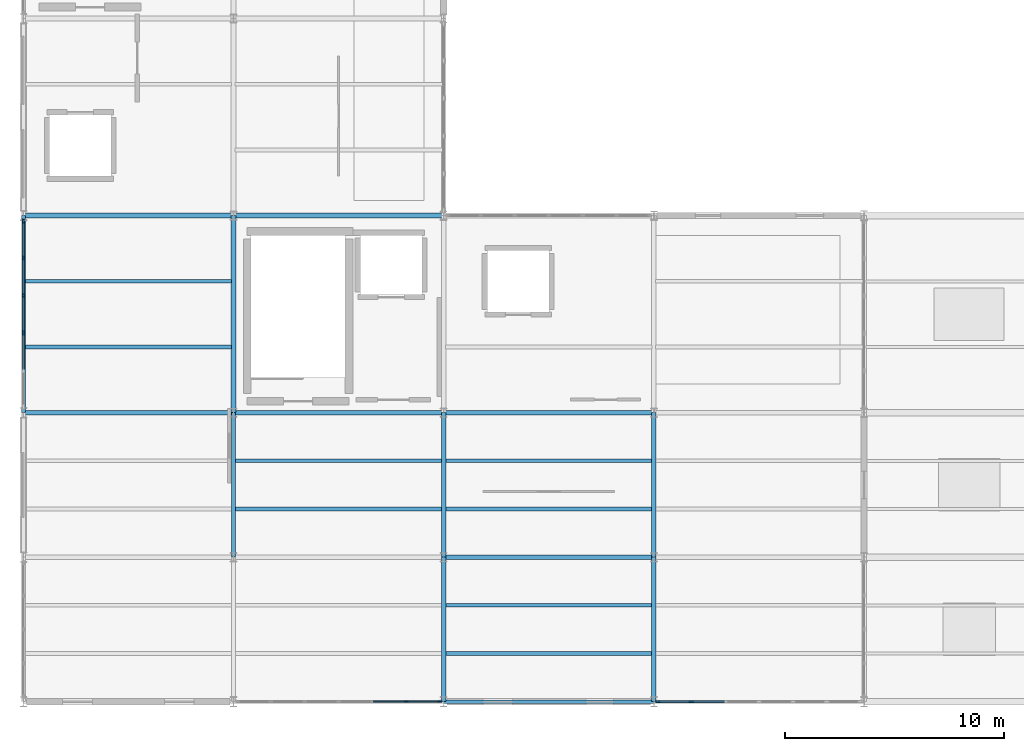
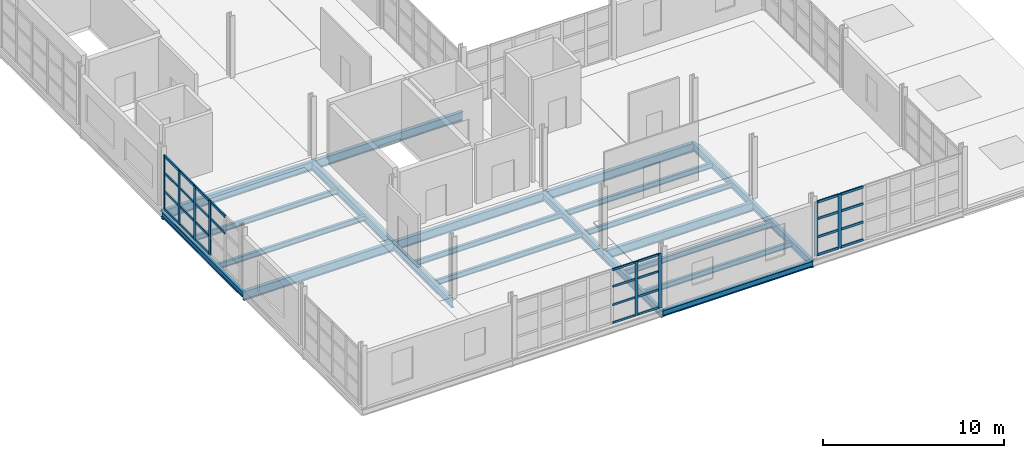
# One storey, part 4 of 15: 38 members, 22 beams, 3 elements without a shape of their own.
"""IFC4 building model written with IfcOpenShell, lengths in metres."""

from ifc_helpers import new_model, si_unit, direction, frame, origin, origin_2d, place, context, subcontext, project, spatial, rectangle, i_section, extrude, material, layer, layer_set, material_profile, profile_set, type_object, element, aggregate, save


model = new_model("IFC4")

# Units and contexts
model_context = context("Model", 3, precision=1e-05, world=origin(), true_north=direction((0.0, 1.0)))
body_context = subcontext(model_context, "Body", "Model", "MODEL_VIEW")
ifc_project = project(units=[si_unit("LENGTHUNIT", "METRE"), si_unit("AREAUNIT", "SQUARE_METRE"), si_unit("VOLUMEUNIT", "CUBIC_METRE"), si_unit("PLANEANGLEUNIT", "RADIAN"), si_unit("MASSUNIT", "GRAM", prefix="KILO")], contexts=[model_context])

# Site, building, storey
site_placement = place(None, origin())
site = spatial("IfcSite", under=ifc_project, at=site_placement, CompositionType="ELEMENT")
building_placement = place(site_placement, origin())
building = spatial("IfcBuilding", under=site, at=building_placement, Name="Zarnetskaya Central Station", CompositionType="ELEMENT")
storey_placement = place(building_placement, frame((0.0, 0.0, 22.800048828125)))
storey = spatial("IfcBuildingStorey", under=building, at=storey_placement, Name="L05", CompositionType="ELEMENT", Elevation=22.800048828125)

# Beams
ifc_material_1 = material(Name="Steel S355", Category="steel")
ifc_material_profile_1 = material_profile(ifc_material_1, i_section(OverallWidth=0.169921875, OverallDepth=0.360107421875, WebThickness=0.008056640625, FlangeThickness=0.0126953125, FilletRadius=0.01806640625, at=origin_2d()), Name="IPE 360")
ifc_profile_set_1 = profile_set([ifc_material_profile_1], Name="Steel S355")
beam_type_1 = type_object("IfcBeamType", Name="BM-SEC-360", PredefinedType="BEAM", material=ifc_profile_set_1)
for number, where, z_axis, x_axis, name in (
    (1, (0.080078125, 16.199951171875, -0.420166015625), (1.0, 0.0, 0.0), (0.0, 1.0, 0.0), "Secondary floor beam SEC-L05-Z2256-AB-34-1"),
    (2, (0.080078125, 19.199951171875, -0.420166015625), (1.0, 0.0, 0.0), (0.0, 1.0, 0.0), "Secondary floor beam SEC-L05-Z2256-AB-34-2"),
):
    element("IfcBeam", number, at=place(storey_placement, frame(where, z_axis=z_axis, x_axis=x_axis)), inside=storey, type_object=beam_type_1, Name=name, PredefinedType="BEAM", context=body_context, shape_type="SweptSolid", body=[
        extrude(i_section(OverallWidth=0.169921875, OverallDepth=0.360107421875, WebThickness=0.008056640625, FlangeThickness=0.0126953125, FilletRadius=0.01806640625, at=origin_2d()), origin(), (0.0, 0.0, 1.0), 9.43994140625),
    ])
for number, where, z_axis, x_axis, name in (
    (3, (9.679931640625, 8.800048828125, -0.420166015625), (1.0, 0.0, 0.0), (0.0, 1.0, 0.0), "Secondary floor beam SEC-L05-Z2256-BC-23-1"),
    (4, (9.679931640625, 11.0, -0.420166015625), (1.0, 0.0, 0.0), (0.0, 1.0, 0.0), "Secondary floor beam SEC-L05-Z2256-BC-23-2"),
):
    element("IfcBeam", number, at=place(storey_placement, frame(where, z_axis=z_axis, x_axis=x_axis)), inside=storey, type_object=beam_type_1, Name=name, PredefinedType="BEAM", context=body_context, shape_type="SweptSolid", body=[
        extrude(i_section(OverallWidth=0.169921875, OverallDepth=0.360107421875, WebThickness=0.008056640625, FlangeThickness=0.0126953125, FilletRadius=0.01806640625, at=origin_2d()), origin(), (0.0, 0.0, 1.0), 9.440185546875),
    ])
for number, where, z_axis, x_axis, name in (
    (5, (19.280029296875, 2.199951171875, -0.420166015625), (1.0, 0.0, 0.0), (0.0, 1.0, 0.0), "Secondary floor beam SEC-L05-Z2256-CD-12-1"),
    (6, (19.280029296875, 4.39990234375, -0.420166015625), (1.0, 0.0, 0.0), (0.0, 1.0, 0.0), "Secondary floor beam SEC-L05-Z2256-CD-12-2"),
    (7, (19.280029296875, 8.800048828125, -0.420166015625), (1.0, 0.0, 0.0), (0.0, 1.0, 0.0), "Secondary floor beam SEC-L05-Z2256-CD-23-1"),
    (8, (19.280029296875, 11.0, -0.420166015625), (1.0, 0.0, 0.0), (0.0, 1.0, 0.0), "Secondary floor beam SEC-L05-Z2256-CD-23-2"),
):
    element("IfcBeam", number, at=place(storey_placement, frame(where, z_axis=z_axis, x_axis=x_axis)), inside=storey, type_object=beam_type_1, Name=name, PredefinedType="BEAM", context=body_context, shape_type="SweptSolid", body=[
        extrude(i_section(OverallWidth=0.169921875, OverallDepth=0.360107421875, WebThickness=0.008056640625, FlangeThickness=0.0126953125, FilletRadius=0.01806640625, at=origin_2d()), origin(), (0.0, 0.0, 1.0), 9.43994140625),
    ])
ifc_material_profile_2 = material_profile(ifc_material_1, i_section(OverallWidth=0.179931640625, OverallDepth=0.39990234375, WebThickness=0.008544921875, FlangeThickness=0.013427734375, FilletRadius=0.02099609375, at=origin_2d()), Name="IPE 400")
ifc_profile_set_2 = profile_set([ifc_material_profile_2], Name="Steel S355")
beam_type_2 = type_object("IfcBeamType", Name="BM-SPN-V5", PredefinedType="SPANDREL", material=ifc_profile_set_2)
beam_1_placement = place(storey_placement, frame((0.0, 13.199951171875, -0.43994140625), z_axis=(0.0, 1.0, 0.0), x_axis=(-1.0, 0.0, 0.0)))
element("IfcBeam", 9, at=beam_1_placement, inside=storey, type_object=beam_type_2, Name="Grid girder GY-L05-A-34", PredefinedType="SPANDREL", context=body_context, shape_type="SweptSolid", body=[
    extrude(i_section(OverallWidth=0.179931640625, OverallDepth=0.39990234375, WebThickness=0.008544921875, FlangeThickness=0.013427734375, FilletRadius=0.02099609375, at=origin_2d()), origin(), (0.0, 0.0, 1.0), 9.0),
])
beam_2_placement = place(storey_placement, frame((19.199951171875, 0.0, -0.43994140625), z_axis=(1.0, 0.0, 0.0), x_axis=(0.0, 1.0, 0.0)))
element("IfcBeam", 10, at=beam_2_placement, inside=storey, type_object=beam_type_2, Name="Grid girder GX-L05-1-CD", PredefinedType="SPANDREL", context=body_context, shape_type="SweptSolid", body=[
    extrude(i_section(OverallWidth=0.179931640625, OverallDepth=0.39990234375, WebThickness=0.008544921875, FlangeThickness=0.013427734375, FilletRadius=0.02099609375, at=origin_2d()), origin(), (0.0, 0.0, 1.0), 9.60009765625),
])

# Curtain wall, members
ifc_material_2 = material(Name="Low-E insulated glass", Category="glass")
ifc_layer_1 = layer(ifc_material_2, 0.172119140625, Name="Low-E insulated glass", Category="glass")
ifc_layer_set_1 = layer_set([ifc_layer_1], Name="Low-E insulated glass")
curtain_wall_type_1 = type_object("IfcCurtainWallType", Name="CW-SYS-09", PredefinedType="USERDEFINED", material=ifc_layer_set_1)
curtain_wall_1_placement = place(storey_placement, origin())
curtain_wall_1 = element("IfcCurtainWall", 11, at=curtain_wall_1_placement, inside=storey, type_object=curtain_wall_type_1, Name="Curtain wall CW-L05-073", ObjectType="CURTAIN WALL", PredefinedType="USERDEFINED")
ifc_material_3 = material(Name="Anodised aluminium", Category="aluminium")
ifc_material_profile_3 = material_profile(ifc_material_3, rectangle(XDim=0.070068359375, YDim=0.179931640625, at=origin_2d()), Name="ALU MULL 70x180")
ifc_profile_set_3 = profile_set([ifc_material_profile_3], Name="Anodised aluminium")
member_type_1 = type_object("IfcMemberType", Name="CW-MULL-180", PredefinedType="MULLION", material=ifc_profile_set_3)
member_1_placement = place(storey_placement, frame((19.014892578125, 0.0, 0.0), z_axis=(0.0, 0.0, 1.0), x_axis=(0.0, -1.0, 0.0)))
member_1 = element("IfcMember", 12, at=member_1_placement, type_object=member_type_1, Name="CW-07 mullion 1", PredefinedType="MULLION", context=body_context, shape_type="SweptSolid", body=[
    extrude(rectangle(XDim=0.070068359375, YDim=0.179931640625, at=origin_2d()), origin(), (0.0, 0.0, 1.0), 3.639892578125),
])
member_2_placement = place(storey_placement, frame((17.5, 0.0, 0.0), z_axis=(0.0, 0.0, 1.0), x_axis=(0.0, -1.0, 0.0)))
member_2 = element("IfcMember", 13, at=member_2_placement, type_object=member_type_1, Name="CW-07 mullion 2", PredefinedType="MULLION", context=body_context, shape_type="SweptSolid", body=[
    extrude(rectangle(XDim=0.070068359375, YDim=0.179931640625, at=origin_2d()), origin(), (0.0, 0.0, 1.0), 3.639892578125),
])

curtain_wall_2_placement = place(storey_placement, origin())
curtain_wall_2 = element("IfcCurtainWall", 14, at=curtain_wall_2_placement, inside=storey, type_object=curtain_wall_type_1, Name="Curtain wall CW-L05-064", ObjectType="CURTAIN WALL", PredefinedType="USERDEFINED")
ifc_material_profile_4 = material_profile(ifc_material_3, rectangle(XDim=0.080078125, YDim=0.219970703125, at=origin_2d()), Name="ALU MULL 80x220")
ifc_profile_set_4 = profile_set([ifc_material_profile_4], Name="Anodised aluminium")
member_type_2 = type_object("IfcMemberType", Name="CW-MULL-220", PredefinedType="MULLION", material=ifc_profile_set_4)
member_3_placement = place(storey_placement, frame((0.0, 16.844970703125, 0.0), z_axis=(0.0, 0.0, 1.0), x_axis=(-1.0, 0.0, 0.0)))
member_3 = element("IfcMember", 15, at=member_3_placement, type_object=member_type_2, Name="CW-07 mullion 3", PredefinedType="MULLION", context=body_context, shape_type="SweptSolid", body=[
    extrude(rectangle(XDim=0.080078125, YDim=0.219970703125, at=origin_2d()), origin(), (0.0, 0.0, 1.0), 3.639892578125),
])
member_4_placement = place(storey_placement, frame((0.0, 18.554931640625, 0.0), z_axis=(0.0, 0.0, 1.0), x_axis=(-1.0, 0.0, 0.0)))
member_4 = element("IfcMember", 16, at=member_4_placement, type_object=member_type_2, Name="CW-07 mullion 4", PredefinedType="MULLION", context=body_context, shape_type="SweptSolid", body=[
    extrude(rectangle(XDim=0.080078125, YDim=0.219970703125, at=origin_2d()), origin(), (0.0, 0.0, 1.0), 3.639892578125),
])
member_5_placement = place(storey_placement, frame((0.0, 20.264892578125, 0.0), z_axis=(0.0, 0.0, 1.0), x_axis=(-1.0, 0.0, 0.0)))
member_5 = element("IfcMember", 17, at=member_5_placement, type_object=member_type_2, Name="CW-07 mullion 5", PredefinedType="MULLION", context=body_context, shape_type="SweptSolid", body=[
    extrude(rectangle(XDim=0.080078125, YDim=0.219970703125, at=origin_2d()), origin(), (0.0, 0.0, 1.0), 3.639892578125),
])
member_6_placement = place(storey_placement, frame((0.0, 21.93505859375, 0.0), z_axis=(0.0, 0.0, 1.0), x_axis=(-1.0, 0.0, 0.0)))
member_6 = element("IfcMember", 18, at=member_6_placement, type_object=member_type_2, Name="CW-07 mullion 6", PredefinedType="MULLION", context=body_context, shape_type="SweptSolid", body=[
    extrude(rectangle(XDim=0.080078125, YDim=0.219970703125, at=origin_2d()), origin(), (0.0, 0.0, 1.0), 3.639892578125),
])

ifc_layer_2 = layer(ifc_material_2, 0.1640625, Name="Low-E insulated glass", Category="glass")
ifc_layer_set_2 = layer_set([ifc_layer_2], Name="Low-E insulated glass")
curtain_wall_type_2 = type_object("IfcCurtainWallType", Name="CW-SYS-07", PredefinedType="USERDEFINED", material=ifc_layer_set_2)
curtain_wall_3_placement = place(storey_placement, origin())
curtain_wall_3 = element("IfcCurtainWall", 19, at=curtain_wall_3_placement, inside=storey, type_object=curtain_wall_type_2, Name="Curtain wall CW-L05-072", ObjectType="CURTAIN WALL", PredefinedType="USERDEFINED")
member_7_placement = place(storey_placement, frame((30.5, 0.0, 0.0), z_axis=(0.0, 0.0, 1.0), x_axis=(0.0, -1.0, 0.0)))
member_7 = element("IfcMember", 20, at=member_7_placement, type_object=member_type_2, Name="CW-06 mullion 6", PredefinedType="MULLION", context=body_context, shape_type="SweptSolid", body=[
    extrude(rectangle(XDim=0.080078125, YDim=0.219970703125, at=origin_2d()), origin(), (0.0, 0.0, 1.0), 3.639892578125),
])
member_8_placement = place(storey_placement, frame((28.989990234375, 0.0, 0.0), z_axis=(0.0, 0.0, 1.0), x_axis=(0.0, -1.0, 0.0)))
member_8 = element("IfcMember", 21, at=member_8_placement, type_object=member_type_2, Name="CW-06 mullion 7", PredefinedType="MULLION", context=body_context, shape_type="SweptSolid", body=[
    extrude(rectangle(XDim=0.080078125, YDim=0.219970703125, at=origin_2d()), origin(), (0.0, 0.0, 1.0), 3.639892578125),
])

# Member
ifc_material_profile_5 = material_profile(ifc_material_3, rectangle(XDim=0.070068359375, YDim=0.139892578125, at=origin_2d()), Name="ALU TRAN 70x140")
ifc_profile_set_5 = profile_set([ifc_material_profile_5], Name="Anodised aluminium")
member_type_3 = type_object("IfcMemberType", Name="CW-TRAN-140", PredefinedType="USERDEFINED", material=ifc_profile_set_5)
member_9_placement = place(storey_placement, frame((18.97998046875, 0.0, 0.034912109375), z_axis=(-1.0, 0.0, 0.0), x_axis=(0.0, -1.0, 0.0)))
member_9 = element("IfcMember", 22, at=member_9_placement, type_object=member_type_3, Name="CW-07 transom 1.1", ObjectType="TRANSOM", PredefinedType="USERDEFINED", context=body_context, shape_type="SweptSolid", body=[
    extrude(rectangle(XDim=0.070068359375, YDim=0.139892578125, at=origin_2d()), origin(), (0.0, 0.0, 1.0), 1.445068359375),
])

member_10_placement = place(storey_placement, frame((18.97998046875, 0.0, 1.238037109375), z_axis=(-1.0, 0.0, 0.0), x_axis=(0.0, -1.0, 0.0)))
member_10 = element("IfcMember", 23, at=member_10_placement, type_object=member_type_3, Name="CW-07 transom 1.2", ObjectType="TRANSOM", PredefinedType="USERDEFINED", context=body_context, shape_type="SweptSolid", body=[
    extrude(rectangle(XDim=0.070068359375, YDim=0.139892578125, at=origin_2d()), origin(), (0.0, 0.0, 1.0), 1.445068359375),
])

member_11_placement = place(storey_placement, frame((18.97998046875, 0.0, 2.474853515625), z_axis=(-1.0, 0.0, 0.0), x_axis=(0.0, -1.0, 0.0)))
member_11 = element("IfcMember", 24, at=member_11_placement, type_object=member_type_3, Name="CW-07 transom 1.3", ObjectType="TRANSOM", PredefinedType="USERDEFINED", context=body_context, shape_type="SweptSolid", body=[
    extrude(rectangle(XDim=0.070068359375, YDim=0.139892578125, at=origin_2d()), origin(), (0.0, 0.0, 1.0), 1.445068359375),
])

member_12_placement = place(storey_placement, frame((18.97998046875, 0.0, 3.60498046875), z_axis=(-1.0, 0.0, 0.0), x_axis=(0.0, -1.0, 0.0)))
member_12 = element("IfcMember", 25, at=member_12_placement, type_object=member_type_3, Name="CW-07 transom 1.4", ObjectType="TRANSOM", PredefinedType="USERDEFINED", context=body_context, shape_type="SweptSolid", body=[
    extrude(rectangle(XDim=0.070068359375, YDim=0.139892578125, at=origin_2d()), origin(), (0.0, 0.0, 1.0), 1.445068359375),
])

member_13_placement = place(storey_placement, frame((17.465087890625, 0.0, 0.034912109375), z_axis=(-1.0, 0.0, 0.0), x_axis=(0.0, -1.0, 0.0)))
member_13 = element("IfcMember", 26, at=member_13_placement, type_object=member_type_3, Name="CW-07 transom 2.1", ObjectType="TRANSOM", PredefinedType="USERDEFINED", context=body_context, shape_type="SweptSolid", body=[
    extrude(rectangle(XDim=0.070068359375, YDim=0.139892578125, at=origin_2d()), origin(), (0.0, 0.0, 1.0), 1.47998046875),
])

member_14_placement = place(storey_placement, frame((17.465087890625, 0.0, 1.238037109375), z_axis=(-1.0, 0.0, 0.0), x_axis=(0.0, -1.0, 0.0)))
member_14 = element("IfcMember", 27, at=member_14_placement, type_object=member_type_3, Name="CW-07 transom 2.2", ObjectType="TRANSOM", PredefinedType="USERDEFINED", context=body_context, shape_type="SweptSolid", body=[
    extrude(rectangle(XDim=0.070068359375, YDim=0.139892578125, at=origin_2d()), origin(), (0.0, 0.0, 1.0), 1.47998046875),
])

member_15_placement = place(storey_placement, frame((17.465087890625, 0.0, 2.474853515625), z_axis=(-1.0, 0.0, 0.0), x_axis=(0.0, -1.0, 0.0)))
member_15 = element("IfcMember", 28, at=member_15_placement, type_object=member_type_3, Name="CW-07 transom 2.3", ObjectType="TRANSOM", PredefinedType="USERDEFINED", context=body_context, shape_type="SweptSolid", body=[
    extrude(rectangle(XDim=0.070068359375, YDim=0.139892578125, at=origin_2d()), origin(), (0.0, 0.0, 1.0), 1.47998046875),
])

member_16_placement = place(storey_placement, frame((17.465087890625, 0.0, 3.60498046875), z_axis=(-1.0, 0.0, 0.0), x_axis=(0.0, -1.0, 0.0)))
member_16 = element("IfcMember", 29, at=member_16_placement, type_object=member_type_3, Name="CW-07 transom 2.4", ObjectType="TRANSOM", PredefinedType="USERDEFINED", context=body_context, shape_type="SweptSolid", body=[
    extrude(rectangle(XDim=0.070068359375, YDim=0.139892578125, at=origin_2d()), origin(), (0.0, 0.0, 1.0), 1.47998046875),
])

aggregate(curtain_wall_1, [member_1, member_2, member_9, member_10, member_11, member_12, member_13, member_14, member_15, member_16])

ifc_material_profile_6 = material_profile(ifc_material_3, rectangle(XDim=0.080078125, YDim=0.159912109375, at=origin_2d()), Name="ALU TRAN 80x160")
ifc_profile_set_6 = profile_set([ifc_material_profile_6], Name="Anodised aluminium")
member_type_4 = type_object("IfcMemberType", Name="CW-TRAN-160", PredefinedType="USERDEFINED", material=ifc_profile_set_6)
member_17_placement = place(storey_placement, frame((0.0, 15.175048828125, 2.474853515625), z_axis=(0.0, 1.0, 0.0), x_axis=(-1.0, 0.0, 0.0)))
member_17 = element("IfcMember", 30, at=member_17_placement, type_object=member_type_4, Name="CW-07 transom 2.3", ObjectType="TRANSOM", PredefinedType="USERDEFINED", context=body_context, shape_type="SweptSolid", body=[
    extrude(rectangle(XDim=0.080078125, YDim=0.159912109375, at=origin_2d()), origin(), (0.0, 0.0, 1.0), 1.6298828125),
])

member_18_placement = place(storey_placement, frame((0.0, 15.175048828125, 3.599853515625), z_axis=(0.0, 1.0, 0.0), x_axis=(-1.0, 0.0, 0.0)))
member_18 = element("IfcMember", 31, at=member_18_placement, type_object=member_type_4, Name="CW-07 transom 2.4", ObjectType="TRANSOM", PredefinedType="USERDEFINED", context=body_context, shape_type="SweptSolid", body=[
    extrude(rectangle(XDim=0.080078125, YDim=0.159912109375, at=origin_2d()), origin(), (0.0, 0.0, 1.0), 1.6298828125),
])

member_19_placement = place(storey_placement, frame((0.0, 16.885009765625, 0.0400390625), z_axis=(0.0, 1.0, 0.0), x_axis=(-1.0, 0.0, 0.0)))
member_19 = element("IfcMember", 32, at=member_19_placement, type_object=member_type_4, Name="CW-07 transom 3.1", ObjectType="TRANSOM", PredefinedType="USERDEFINED", context=body_context, shape_type="SweptSolid", body=[
    extrude(rectangle(XDim=0.080078125, YDim=0.159912109375, at=origin_2d()), origin(), (0.0, 0.0, 1.0), 1.6298828125),
])

member_20_placement = place(storey_placement, frame((0.0, 16.885009765625, 1.238037109375), z_axis=(0.0, 1.0, 0.0), x_axis=(-1.0, 0.0, 0.0)))
member_20 = element("IfcMember", 33, at=member_20_placement, type_object=member_type_4, Name="CW-07 transom 3.2", ObjectType="TRANSOM", PredefinedType="USERDEFINED", context=body_context, shape_type="SweptSolid", body=[
    extrude(rectangle(XDim=0.080078125, YDim=0.159912109375, at=origin_2d()), origin(), (0.0, 0.0, 1.0), 1.6298828125),
])

member_21_placement = place(storey_placement, frame((0.0, 16.885009765625, 2.474853515625), z_axis=(0.0, 1.0, 0.0), x_axis=(-1.0, 0.0, 0.0)))
member_21 = element("IfcMember", 34, at=member_21_placement, type_object=member_type_4, Name="CW-07 transom 3.3", ObjectType="TRANSOM", PredefinedType="USERDEFINED", context=body_context, shape_type="SweptSolid", body=[
    extrude(rectangle(XDim=0.080078125, YDim=0.159912109375, at=origin_2d()), origin(), (0.0, 0.0, 1.0), 1.6298828125),
])

member_22_placement = place(storey_placement, frame((0.0, 16.885009765625, 3.599853515625), z_axis=(0.0, 1.0, 0.0), x_axis=(-1.0, 0.0, 0.0)))
member_22 = element("IfcMember", 35, at=member_22_placement, type_object=member_type_4, Name="CW-07 transom 3.4", ObjectType="TRANSOM", PredefinedType="USERDEFINED", context=body_context, shape_type="SweptSolid", body=[
    extrude(rectangle(XDim=0.080078125, YDim=0.159912109375, at=origin_2d()), origin(), (0.0, 0.0, 1.0), 1.6298828125),
])

member_23_placement = place(storey_placement, frame((0.0, 18.594970703125, 0.0400390625), z_axis=(0.0, 1.0, 0.0), x_axis=(-1.0, 0.0, 0.0)))
member_23 = element("IfcMember", 36, at=member_23_placement, type_object=member_type_4, Name="CW-07 transom 4.1", ObjectType="TRANSOM", PredefinedType="USERDEFINED", context=body_context, shape_type="SweptSolid", body=[
    extrude(rectangle(XDim=0.080078125, YDim=0.159912109375, at=origin_2d()), origin(), (0.0, 0.0, 1.0), 1.630126953125),
])

member_24_placement = place(storey_placement, frame((0.0, 18.594970703125, 1.238037109375), z_axis=(0.0, 1.0, 0.0), x_axis=(-1.0, 0.0, 0.0)))
member_24 = element("IfcMember", 37, at=member_24_placement, type_object=member_type_4, Name="CW-07 transom 4.2", ObjectType="TRANSOM", PredefinedType="USERDEFINED", context=body_context, shape_type="SweptSolid", body=[
    extrude(rectangle(XDim=0.080078125, YDim=0.159912109375, at=origin_2d()), origin(), (0.0, 0.0, 1.0), 1.630126953125),
])

member_25_placement = place(storey_placement, frame((0.0, 18.594970703125, 2.474853515625), z_axis=(0.0, 1.0, 0.0), x_axis=(-1.0, 0.0, 0.0)))
member_25 = element("IfcMember", 38, at=member_25_placement, type_object=member_type_4, Name="CW-07 transom 4.3", ObjectType="TRANSOM", PredefinedType="USERDEFINED", context=body_context, shape_type="SweptSolid", body=[
    extrude(rectangle(XDim=0.080078125, YDim=0.159912109375, at=origin_2d()), origin(), (0.0, 0.0, 1.0), 1.630126953125),
])

member_26_placement = place(storey_placement, frame((0.0, 18.594970703125, 3.599853515625), z_axis=(0.0, 1.0, 0.0), x_axis=(-1.0, 0.0, 0.0)))
member_26 = element("IfcMember", 39, at=member_26_placement, type_object=member_type_4, Name="CW-07 transom 4.4", ObjectType="TRANSOM", PredefinedType="USERDEFINED", context=body_context, shape_type="SweptSolid", body=[
    extrude(rectangle(XDim=0.080078125, YDim=0.159912109375, at=origin_2d()), origin(), (0.0, 0.0, 1.0), 1.630126953125),
])

member_27_placement = place(storey_placement, frame((0.0, 20.304931640625, 0.0400390625), z_axis=(0.0, 1.0, 0.0), x_axis=(-1.0, 0.0, 0.0)))
member_27 = element("IfcMember", 40, at=member_27_placement, type_object=member_type_4, Name="CW-07 transom 5.1", ObjectType="TRANSOM", PredefinedType="USERDEFINED", context=body_context, shape_type="SweptSolid", body=[
    extrude(rectangle(XDim=0.080078125, YDim=0.159912109375, at=origin_2d()), origin(), (0.0, 0.0, 1.0), 1.590087890625),
])

member_28_placement = place(storey_placement, frame((0.0, 20.304931640625, 1.238037109375), z_axis=(0.0, 1.0, 0.0), x_axis=(-1.0, 0.0, 0.0)))
member_28 = element("IfcMember", 41, at=member_28_placement, type_object=member_type_4, Name="CW-07 transom 5.2", ObjectType="TRANSOM", PredefinedType="USERDEFINED", context=body_context, shape_type="SweptSolid", body=[
    extrude(rectangle(XDim=0.080078125, YDim=0.159912109375, at=origin_2d()), origin(), (0.0, 0.0, 1.0), 1.590087890625),
])

member_29_placement = place(storey_placement, frame((0.0, 20.304931640625, 2.474853515625), z_axis=(0.0, 1.0, 0.0), x_axis=(-1.0, 0.0, 0.0)))
member_29 = element("IfcMember", 42, at=member_29_placement, type_object=member_type_4, Name="CW-07 transom 5.3", ObjectType="TRANSOM", PredefinedType="USERDEFINED", context=body_context, shape_type="SweptSolid", body=[
    extrude(rectangle(XDim=0.080078125, YDim=0.159912109375, at=origin_2d()), origin(), (0.0, 0.0, 1.0), 1.590087890625),
])

member_30_placement = place(storey_placement, frame((0.0, 20.304931640625, 3.599853515625), z_axis=(0.0, 1.0, 0.0), x_axis=(-1.0, 0.0, 0.0)))
member_30 = element("IfcMember", 43, at=member_30_placement, type_object=member_type_4, Name="CW-07 transom 5.4", ObjectType="TRANSOM", PredefinedType="USERDEFINED", context=body_context, shape_type="SweptSolid", body=[
    extrude(rectangle(XDim=0.080078125, YDim=0.159912109375, at=origin_2d()), origin(), (0.0, 0.0, 1.0), 1.590087890625),
])

aggregate(curtain_wall_2, [member_3, member_4, member_5, member_6, member_17, member_18, member_19, member_20, member_21, member_22, member_23, member_24, member_25, member_26, member_27, member_28, member_29, member_30])

member_31_placement = place(storey_placement, frame((32.010009765625, 0.0, 0.0400390625), z_axis=(-1.0, 0.0, 0.0), x_axis=(0.0, -1.0, 0.0)))
member_31 = element("IfcMember", 44, at=member_31_placement, type_object=member_type_4, Name="CW-06 transom 5.1", ObjectType="TRANSOM", PredefinedType="USERDEFINED", context=body_context, shape_type="SweptSolid", body=[
    extrude(rectangle(XDim=0.080078125, YDim=0.159912109375, at=origin_2d()), origin(), (0.0, 0.0, 1.0), 1.469970703125),
])

member_32_placement = place(storey_placement, frame((32.010009765625, 0.0, 1.238037109375), z_axis=(-1.0, 0.0, 0.0), x_axis=(0.0, -1.0, 0.0)))
member_32 = element("IfcMember", 45, at=member_32_placement, type_object=member_type_4, Name="CW-06 transom 5.2", ObjectType="TRANSOM", PredefinedType="USERDEFINED", context=body_context, shape_type="SweptSolid", body=[
    extrude(rectangle(XDim=0.080078125, YDim=0.159912109375, at=origin_2d()), origin(), (0.0, 0.0, 1.0), 1.469970703125),
])

member_33_placement = place(storey_placement, frame((32.010009765625, 0.0, 2.474853515625), z_axis=(-1.0, 0.0, 0.0), x_axis=(0.0, -1.0, 0.0)))
member_33 = element("IfcMember", 46, at=member_33_placement, type_object=member_type_4, Name="CW-06 transom 5.3", ObjectType="TRANSOM", PredefinedType="USERDEFINED", context=body_context, shape_type="SweptSolid", body=[
    extrude(rectangle(XDim=0.080078125, YDim=0.159912109375, at=origin_2d()), origin(), (0.0, 0.0, 1.0), 1.469970703125),
])

member_34_placement = place(storey_placement, frame((32.010009765625, 0.0, 3.599853515625), z_axis=(-1.0, 0.0, 0.0), x_axis=(0.0, -1.0, 0.0)))
member_34 = element("IfcMember", 47, at=member_34_placement, type_object=member_type_4, Name="CW-06 transom 5.4", ObjectType="TRANSOM", PredefinedType="USERDEFINED", context=body_context, shape_type="SweptSolid", body=[
    extrude(rectangle(XDim=0.080078125, YDim=0.159912109375, at=origin_2d()), origin(), (0.0, 0.0, 1.0), 1.469970703125),
])

member_35_placement = place(storey_placement, frame((30.4599609375, 0.0, 0.0400390625), z_axis=(-1.0, 0.0, 0.0), x_axis=(0.0, -1.0, 0.0)))
member_35 = element("IfcMember", 48, at=member_35_placement, type_object=member_type_4, Name="CW-06 transom 6.1", ObjectType="TRANSOM", PredefinedType="USERDEFINED", context=body_context, shape_type="SweptSolid", body=[
    extrude(rectangle(XDim=0.080078125, YDim=0.159912109375, at=origin_2d()), origin(), (0.0, 0.0, 1.0), 1.429931640625),
])

member_36_placement = place(storey_placement, frame((30.4599609375, 0.0, 1.238037109375), z_axis=(-1.0, 0.0, 0.0), x_axis=(0.0, -1.0, 0.0)))
member_36 = element("IfcMember", 49, at=member_36_placement, type_object=member_type_4, Name="CW-06 transom 6.2", ObjectType="TRANSOM", PredefinedType="USERDEFINED", context=body_context, shape_type="SweptSolid", body=[
    extrude(rectangle(XDim=0.080078125, YDim=0.159912109375, at=origin_2d()), origin(), (0.0, 0.0, 1.0), 1.429931640625),
])

member_37_placement = place(storey_placement, frame((30.4599609375, 0.0, 2.474853515625), z_axis=(-1.0, 0.0, 0.0), x_axis=(0.0, -1.0, 0.0)))
member_37 = element("IfcMember", 50, at=member_37_placement, type_object=member_type_4, Name="CW-06 transom 6.3", ObjectType="TRANSOM", PredefinedType="USERDEFINED", context=body_context, shape_type="SweptSolid", body=[
    extrude(rectangle(XDim=0.080078125, YDim=0.159912109375, at=origin_2d()), origin(), (0.0, 0.0, 1.0), 1.429931640625),
])

member_38_placement = place(storey_placement, frame((30.4599609375, 0.0, 3.599853515625), z_axis=(-1.0, 0.0, 0.0), x_axis=(0.0, -1.0, 0.0)))
member_38 = element("IfcMember", 51, at=member_38_placement, type_object=member_type_4, Name="CW-06 transom 6.4", ObjectType="TRANSOM", PredefinedType="USERDEFINED", context=body_context, shape_type="SweptSolid", body=[
    extrude(rectangle(XDim=0.080078125, YDim=0.159912109375, at=origin_2d()), origin(), (0.0, 0.0, 1.0), 1.429931640625),
])

aggregate(curtain_wall_3, [member_7, member_8, member_31, member_32, member_33, member_34, member_35, member_36, member_37, member_38])

# Beams
ifc_material_profile_7 = material_profile(ifc_material_1, i_section(OverallWidth=0.199951171875, OverallDepth=0.5, WebThickness=0.01025390625, FlangeThickness=0.01611328125, FilletRadius=0.02099609375, at=origin_2d()), Name="IPE 500")
ifc_profile_set_7 = profile_set([ifc_material_profile_7], Name="Steel S355")
beam_type_3 = type_object("IfcBeamType", Name="GD-FLR-500", PredefinedType="USERDEFINED", material=ifc_profile_set_7)
beam_3_placement = place(storey_placement, frame((9.60009765625, 6.60009765625, -0.489990234375), z_axis=(0.0, 1.0, 0.0), x_axis=(-1.0, 0.0, 0.0)))
element("IfcBeam", 52, at=beam_3_placement, inside=storey, type_object=beam_type_3, Name="Grid girder GY-L05-B-23", ObjectType="GIRDER", PredefinedType="USERDEFINED", context=body_context, shape_type="SweptSolid", body=[
    extrude(i_section(OverallWidth=0.199951171875, OverallDepth=0.5, WebThickness=0.01025390625, FlangeThickness=0.01611328125, FilletRadius=0.02099609375, at=origin_2d()), origin(), (0.0, 0.0, 1.0), 6.599853515625),
])
beam_4_placement = place(storey_placement, frame((19.199951171875, 0.0, -0.489990234375), z_axis=(0.0, 1.0, 0.0), x_axis=(-1.0, 0.0, 0.0)))
element("IfcBeam", 53, at=beam_4_placement, inside=storey, type_object=beam_type_3, Name="Grid girder GY-L05-C-12", ObjectType="GIRDER", PredefinedType="USERDEFINED", context=body_context, shape_type="SweptSolid", body=[
    extrude(i_section(OverallWidth=0.199951171875, OverallDepth=0.5, WebThickness=0.01025390625, FlangeThickness=0.01611328125, FilletRadius=0.02099609375, at=origin_2d()), origin(), (0.0, 0.0, 1.0), 6.60009765625),
])
beam_5_placement = place(storey_placement, frame((19.199951171875, 6.60009765625, -0.489990234375), z_axis=(0.0, 1.0, 0.0), x_axis=(-1.0, 0.0, 0.0)))
element("IfcBeam", 54, at=beam_5_placement, inside=storey, type_object=beam_type_3, Name="Grid girder GY-L05-C-23", ObjectType="GIRDER", PredefinedType="USERDEFINED", context=body_context, shape_type="SweptSolid", body=[
    extrude(i_section(OverallWidth=0.199951171875, OverallDepth=0.5, WebThickness=0.01025390625, FlangeThickness=0.01611328125, FilletRadius=0.02099609375, at=origin_2d()), origin(), (0.0, 0.0, 1.0), 6.599853515625),
])
beam_6_placement = place(storey_placement, frame((28.800048828125, 0.0, -0.489990234375), z_axis=(0.0, 1.0, 0.0), x_axis=(-1.0, 0.0, 0.0)))
element("IfcBeam", 55, at=beam_6_placement, inside=storey, type_object=beam_type_3, Name="Grid girder GY-L05-D-12", ObjectType="GIRDER", PredefinedType="USERDEFINED", context=body_context, shape_type="SweptSolid", body=[
    extrude(i_section(OverallWidth=0.199951171875, OverallDepth=0.5, WebThickness=0.01025390625, FlangeThickness=0.01611328125, FilletRadius=0.02099609375, at=origin_2d()), origin(), (0.0, 0.0, 1.0), 6.60009765625),
])
beam_7_placement = place(storey_placement, frame((28.800048828125, 6.60009765625, -0.489990234375), z_axis=(0.0, 1.0, 0.0), x_axis=(-1.0, 0.0, 0.0)))
element("IfcBeam", 56, at=beam_7_placement, inside=storey, type_object=beam_type_3, Name="Grid girder GY-L05-D-23", ObjectType="GIRDER", PredefinedType="USERDEFINED", context=body_context, shape_type="SweptSolid", body=[
    extrude(i_section(OverallWidth=0.199951171875, OverallDepth=0.5, WebThickness=0.01025390625, FlangeThickness=0.01611328125, FilletRadius=0.02099609375, at=origin_2d()), origin(), (0.0, 0.0, 1.0), 6.599853515625),
])
ifc_material_profile_8 = material_profile(ifc_material_1, i_section(OverallWidth=0.2099609375, OverallDepth=0.550048828125, WebThickness=0.010986328125, FlangeThickness=0.01708984375, FilletRadius=0.02392578125, at=origin_2d()), Name="IPE 550")
ifc_profile_set_8 = profile_set([ifc_material_profile_8], Name="Steel S355")
beam_type_4 = type_object("IfcBeamType", Name="GD-FLR-550", PredefinedType="USERDEFINED", material=ifc_profile_set_8)
beam_8_placement = place(storey_placement, frame((9.60009765625, 13.199951171875, -0.51513671875), z_axis=(0.0, 1.0, 0.0), x_axis=(-1.0, 0.0, 0.0)))
element("IfcBeam", 57, at=beam_8_placement, inside=storey, type_object=beam_type_4, Name="Grid girder GY-L05-B-34", ObjectType="GIRDER", PredefinedType="USERDEFINED", context=body_context, shape_type="SweptSolid", body=[
    extrude(i_section(OverallWidth=0.2099609375, OverallDepth=0.550048828125, WebThickness=0.010986328125, FlangeThickness=0.01708984375, FilletRadius=0.02392578125, at=origin_2d()), origin(), (0.0, 0.0, 1.0), 9.0),
])
ifc_material_profile_9 = material_profile(ifc_material_1, i_section(OverallWidth=0.219970703125, OverallDepth=0.60009765625, WebThickness=0.011962890625, FlangeThickness=0.01904296875, FilletRadius=0.02392578125, at=origin_2d()), Name="IPE 600")
ifc_profile_set_9 = profile_set([ifc_material_profile_9], Name="Steel S355")
beam_type_5 = type_object("IfcBeamType", Name="GD-FLR-600", PredefinedType="USERDEFINED", material=ifc_profile_set_9)
for number, where, z_axis, x_axis, name in (
    (58, (0.0, 13.199951171875, -0.5400390625), (1.0, 0.0, 0.0), (0.0, 1.0, 0.0), "Grid girder GX-L05-3-AB"),
    (59, (0.0, 22.199951171875, -0.5400390625), (1.0, 0.0, 0.0), (0.0, 1.0, 0.0), "Grid girder GX-L05-4-AB"),
):
    element("IfcBeam", number, at=place(storey_placement, frame(where, z_axis=z_axis, x_axis=x_axis)), inside=storey, type_object=beam_type_5, Name=name, ObjectType="GIRDER", PredefinedType="USERDEFINED", context=body_context, shape_type="SweptSolid", body=[
        extrude(i_section(OverallWidth=0.219970703125, OverallDepth=0.60009765625, WebThickness=0.011962890625, FlangeThickness=0.01904296875, FilletRadius=0.02392578125, at=origin_2d()), origin(), (0.0, 0.0, 1.0), 9.60009765625),
    ])
for number, where, z_axis, x_axis, name in (
    (60, (9.60009765625, 13.199951171875, -0.5400390625), (1.0, 0.0, 0.0), (0.0, 1.0, 0.0), "Grid girder GX-L05-3-BC"),
    (61, (9.60009765625, 22.199951171875, -0.5400390625), (1.0, 0.0, 0.0), (0.0, 1.0, 0.0), "Grid girder GX-L05-4-BC"),
):
    element("IfcBeam", number, at=place(storey_placement, frame(where, z_axis=z_axis, x_axis=x_axis)), inside=storey, type_object=beam_type_5, Name=name, ObjectType="GIRDER", PredefinedType="USERDEFINED", context=body_context, shape_type="SweptSolid", body=[
        extrude(i_section(OverallWidth=0.219970703125, OverallDepth=0.60009765625, WebThickness=0.011962890625, FlangeThickness=0.01904296875, FilletRadius=0.02392578125, at=origin_2d()), origin(), (0.0, 0.0, 1.0), 9.599853515625),
    ])
for number, where, z_axis, x_axis, name in (
    (62, (19.199951171875, 6.60009765625, -0.5400390625), (1.0, 0.0, 0.0), (0.0, 1.0, 0.0), "Grid girder GX-L05-2-CD"),
    (63, (19.199951171875, 13.199951171875, -0.5400390625), (1.0, 0.0, 0.0), (0.0, 1.0, 0.0), "Grid girder GX-L05-3-CD"),
):
    element("IfcBeam", number, at=place(storey_placement, frame(where, z_axis=z_axis, x_axis=x_axis)), inside=storey, type_object=beam_type_5, Name=name, ObjectType="GIRDER", PredefinedType="USERDEFINED", context=body_context, shape_type="SweptSolid", body=[
        extrude(i_section(OverallWidth=0.219970703125, OverallDepth=0.60009765625, WebThickness=0.011962890625, FlangeThickness=0.01904296875, FilletRadius=0.02392578125, at=origin_2d()), origin(), (0.0, 0.0, 1.0), 9.60009765625),
    ])

save(model, "model.ifc")
